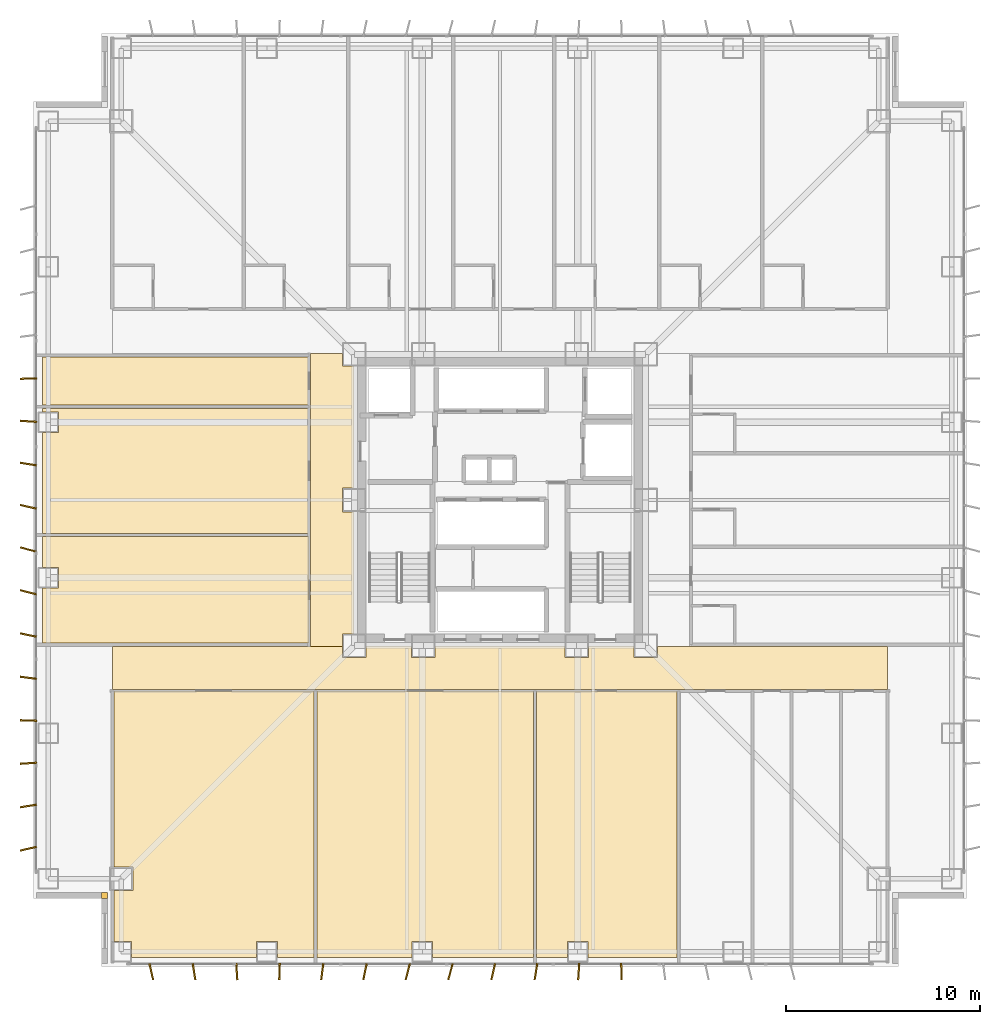
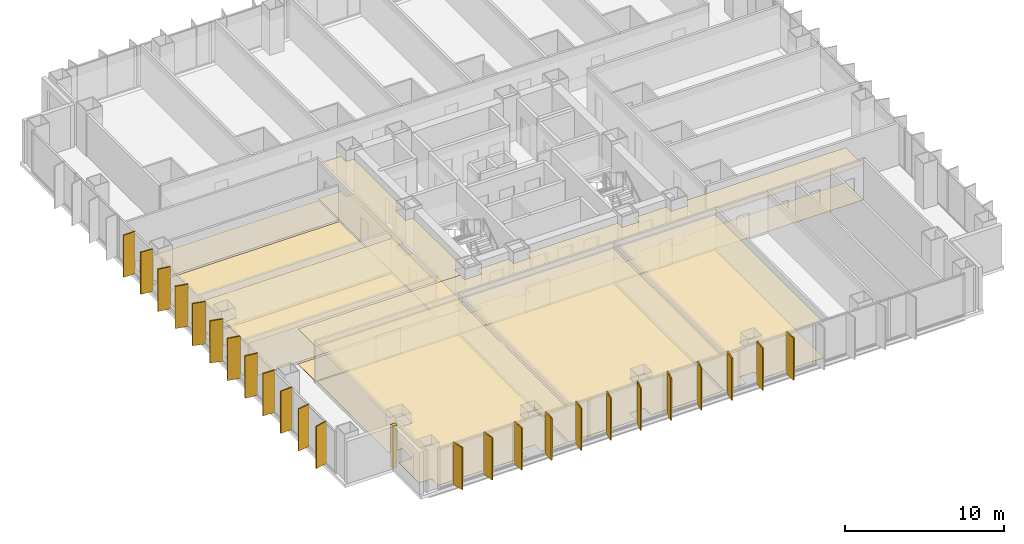
# One storey, part 14 of 17: 24 shading devices, 15 coverings.
"""IFC4 building model written with IfcOpenShell, lengths in metres."""

from ifc_helpers import new_model, si_unit, direction, frame, origin, origin_2d, place, context, subcontext, project, spatial, polyline, rectangle, outline, extrude, material, layer, layer_set, type_object, element, save


model = new_model("IFC4")

# Units and contexts
model_context = context("Model", 3, precision=1e-05, world=origin(), true_north=direction((0.0, 1.0)))
body_context = subcontext(model_context, "Body", "Model", "MODEL_VIEW")
ifc_project = project(units=[si_unit("LENGTHUNIT", "METRE"), si_unit("AREAUNIT", "SQUARE_METRE"), si_unit("VOLUMEUNIT", "CUBIC_METRE"), si_unit("PLANEANGLEUNIT", "RADIAN"), si_unit("MASSUNIT", "GRAM", prefix="KILO")], contexts=[model_context])

# Site, building, storey
site_placement = place(None, origin())
site = spatial("IfcSite", under=ifc_project, at=site_placement, CompositionType="ELEMENT")
building_placement = place(site_placement, origin())
building = spatial("IfcBuilding", under=site, at=building_placement, Name="Trevonay Congress Spire", CompositionType="ELEMENT")
storey_placement = place(building_placement, frame((0.0, 0.0, 69.0)))
storey = spatial("IfcBuildingStorey", under=building, at=storey_placement, Name="L17", CompositionType="ELEMENT", Elevation=69.0)

# Coverings
ifc_material_1 = material(Name="Acoustic Mineral Fibre Board", Category="gypsum")
ifc_layer_1 = layer(ifc_material_1, 0.02490234375, Name="Acoustic Mineral Fibre Board")
ifc_layer_set_1 = layer_set([ifc_layer_1], Name="Acoustic Mineral Fibre Board")
covering_type_1 = type_object("IfcCoveringType", Name="COV-CEIL-ACOUSTIC", PredefinedType="CEILING", material=ifc_layer_set_1)
covering_1_placement = place(storey_placement, frame((0.0, 0.0, 2.699951171875)))
element("IfcCovering", 1, at=covering_1_placement, inside=storey, type_object=covering_type_1, Name="L17 Hotel Floor Corridor South acoustic suspended ceiling", PredefinedType="CEILING", context=body_context, shape_type="SweptSolid", body=[
    extrude(outline(polyline([(19.949951171875, -7.550048828125), (19.949951171875, -9.75), (-19.949951171875, -9.75), (-19.949951171875, -7.550048828125), (-8.110107421875, -7.550048828125), (-8.110107421875, -8.110107421875), (-6.889892578125, -8.110107421875), (-6.889892578125, -7.550048828125), (-4.56005859375, -7.550048828125), (-4.56005859375, -8.110107421875), (-3.340087890625, -8.110107421875), (-3.340087890625, -7.550048828125), (3.340087890625, -7.550048828125), (3.340087890625, -8.110107421875), (4.56005859375, -8.110107421875), (4.56005859375, -7.550048828125), (6.889892578125, -7.550048828125), (6.889892578125, -8.110107421875), (8.110107421875, -8.110107421875), (8.110107421875, -7.550048828125), (19.949951171875, -7.550048828125)])), origin(), (0.0, 0.0, 1.0), 0.025146484375),
])
covering_2_placement = place(storey_placement, frame((0.0, 0.0, 2.699951171875)))
element("IfcCovering", 2, at=covering_2_placement, inside=storey, type_object=covering_type_1, Name="L17 Hotel Floor Corridor West acoustic suspended ceiling", PredefinedType="CEILING", context=body_context, shape_type="SweptSolid", body=[
    extrude(outline(polyline([(-9.75, 7.550048828125), (-8.110107421875, 7.550048828125), (-8.110107421875, 6.889892578125), (-7.550048828125, 6.889892578125), (-7.550048828125, 0.610107421875), (-8.110107421875, 0.610107421875), (-8.110107421875, -0.610107421875), (-7.550048828125, -0.610107421875), (-7.550048828125, -6.889892578125), (-8.110107421875, -6.889892578125), (-8.110107421875, -7.550048828125), (-9.75, -7.550048828125), (-9.75, 7.550048828125)])), origin(), (0.0, 0.0, 1.0), 0.025146484375),
])
covering_3_placement = place(storey_placement, frame((0.0, 0.0, 2.699951171875)))
element("IfcCovering", 3, at=covering_3_placement, inside=storey, type_object=covering_type_1, Name="L17 Sky Banquet Dining Salon West acoustic suspended ceiling", PredefinedType="CEILING", context=body_context, shape_type="SweptSolid", body=[
    extrude(outline(polyline([(-18.965087890625, -23.550048828125), (-18.965087890625, -22.715087890625), (-19.8701171875, -22.715087890625), (-19.8701171875, -20.110107421875), (-18.889892578125, -20.110107421875), (-18.889892578125, -18.889892578125), (-19.8701171875, -18.889892578125), (-19.8701171875, -9.830078125), (-9.580078125, -9.830078125), (-9.580078125, -23.550048828125), (-11.465087890625, -23.550048828125), (-11.465087890625, -22.715087890625), (-12.534912109375, -22.715087890625), (-12.534912109375, -23.550048828125), (-18.965087890625, -23.550048828125)])), origin(), (0.0, 0.0, 1.0), 0.025146484375),
])
covering_4_placement = place(storey_placement, frame((0.0, 0.0, 2.699951171875)))
element("IfcCovering", 4, at=covering_4_placement, inside=storey, type_object=covering_type_1, Name="L17 Sky Banquet Dining Salon East acoustic suspended ceiling", PredefinedType="CEILING", context=body_context, shape_type="SweptSolid", body=[
    extrude(outline(polyline([(-9.419921875, -23.550048828125), (-9.419921875, -9.830078125), (1.719970703125, -9.830078125), (1.719970703125, -23.550048828125), (-3.465087890625, -23.550048828125), (-3.465087890625, -22.715087890625), (-4.534912109375, -22.715087890625), (-4.534912109375, -23.550048828125), (-9.419921875, -23.550048828125)])), origin(), (0.0, 0.0, 1.0), 0.025146484375),
])
covering_5_placement = place(storey_placement, frame((0.0, 0.0, 2.699951171875)))
element("IfcCovering", 5, at=covering_5_placement, inside=storey, type_object=covering_type_1, Name="L17 Banquet Finishing Kitchen acoustic suspended ceiling", PredefinedType="CEILING", context=body_context, shape_type="SweptSolid", body=[
    extrude(outline(polyline([(1.8798828125, -23.550048828125), (1.8798828125, -9.830078125), (9.1201171875, -9.830078125), (9.1201171875, -23.550048828125), (4.534912109375, -23.550048828125), (4.534912109375, -22.715087890625), (3.465087890625, -22.715087890625), (3.465087890625, -23.550048828125), (1.8798828125, -23.550048828125)])), origin(), (0.0, 0.0, 1.0), 0.025146484375),
])
covering_6_placement = place(storey_placement, frame((0.0, 0.0, 2.699951171875)))
element("IfcCovering", 6, at=covering_6_placement, inside=storey, type_object=covering_type_1, Name="L17 Private Dining Boardroom 1 acoustic suspended ceiling", PredefinedType="CEILING", context=body_context, shape_type="SweptSolid", body=[
    extrude(outline(polyline([(-23.550048828125, -1.8798828125), (-9.830078125, -1.8798828125), (-9.830078125, -7.3701171875), (-23.550048828125, -7.3701171875), (-23.550048828125, -4.534912109375), (-22.715087890625, -4.534912109375), (-22.715087890625, -3.465087890625), (-23.550048828125, -3.465087890625), (-23.550048828125, -1.8798828125)])), origin(), (0.0, 0.0, 1.0), 0.025146484375),
])
ifc_material_2 = material(Name="Polished Granite Floor Tile", Category="masonry")
ifc_layer_2 = layer(ifc_material_2, 0.02001953125, Name="Polished Granite Floor Tile")
ifc_layer_set_2 = layer_set([ifc_layer_2], Name="Polished Granite Floor Tile")
covering_type_2 = type_object("IfcCoveringType", Name="COV-FLOOR-STONE", PredefinedType="FLOORING", material=ifc_layer_set_2)
covering_7_placement = place(storey_placement, origin())
element("IfcCovering", 7, at=covering_7_placement, inside=storey, type_object=covering_type_2, Name="L17 Hotel Floor Corridor South floor finish", PredefinedType="FLOORING", context=body_context, shape_type="SweptSolid", body=[
    extrude(outline(polyline([(19.949951171875, -7.550048828125), (19.949951171875, -9.75), (-19.949951171875, -9.75), (-19.949951171875, -7.550048828125), (-8.110107421875, -7.550048828125), (-8.110107421875, -8.110107421875), (-6.889892578125, -8.110107421875), (-6.889892578125, -7.550048828125), (-4.56005859375, -7.550048828125), (-4.56005859375, -8.110107421875), (-3.340087890625, -8.110107421875), (-3.340087890625, -7.550048828125), (3.340087890625, -7.550048828125), (3.340087890625, -8.110107421875), (4.56005859375, -8.110107421875), (4.56005859375, -7.550048828125), (6.889892578125, -7.550048828125), (6.889892578125, -8.110107421875), (8.110107421875, -8.110107421875), (8.110107421875, -7.550048828125), (19.949951171875, -7.550048828125)])), origin(), (0.0, 0.0, 1.0), 0.02001953125),
])
covering_8_placement = place(storey_placement, origin())
element("IfcCovering", 8, at=covering_8_placement, inside=storey, type_object=covering_type_2, Name="L17 Hotel Floor Corridor West floor finish", PredefinedType="FLOORING", context=body_context, shape_type="SweptSolid", body=[
    extrude(outline(polyline([(-9.75, 7.550048828125), (-8.110107421875, 7.550048828125), (-8.110107421875, 6.889892578125), (-7.550048828125, 6.889892578125), (-7.550048828125, 0.610107421875), (-8.110107421875, 0.610107421875), (-8.110107421875, -0.610107421875), (-7.550048828125, -0.610107421875), (-7.550048828125, -6.889892578125), (-8.110107421875, -6.889892578125), (-8.110107421875, -7.550048828125), (-9.75, -7.550048828125), (-9.75, 7.550048828125)])), origin(), (0.0, 0.0, 1.0), 0.02001953125),
])
covering_9_placement = place(storey_placement, origin())
element("IfcCovering", 9, at=covering_9_placement, inside=storey, type_object=covering_type_2, Name="L17 Sky Banquet Dining Salon West floor finish", PredefinedType="FLOORING", context=body_context, shape_type="SweptSolid", body=[
    extrude(outline(polyline([(-18.965087890625, -23.550048828125), (-18.965087890625, -22.715087890625), (-19.8701171875, -22.715087890625), (-19.8701171875, -20.110107421875), (-18.889892578125, -20.110107421875), (-18.889892578125, -18.889892578125), (-19.8701171875, -18.889892578125), (-19.8701171875, -9.830078125), (-9.580078125, -9.830078125), (-9.580078125, -23.550048828125), (-11.465087890625, -23.550048828125), (-11.465087890625, -22.715087890625), (-12.534912109375, -22.715087890625), (-12.534912109375, -23.550048828125), (-18.965087890625, -23.550048828125)])), origin(), (0.0, 0.0, 1.0), 0.02001953125),
])
covering_10_placement = place(storey_placement, origin())
element("IfcCovering", 10, at=covering_10_placement, inside=storey, type_object=covering_type_2, Name="L17 Sky Banquet Dining Salon East floor finish", PredefinedType="FLOORING", context=body_context, shape_type="SweptSolid", body=[
    extrude(outline(polyline([(-9.419921875, -23.550048828125), (-9.419921875, -9.830078125), (1.719970703125, -9.830078125), (1.719970703125, -23.550048828125), (-3.465087890625, -23.550048828125), (-3.465087890625, -22.715087890625), (-4.534912109375, -22.715087890625), (-4.534912109375, -23.550048828125), (-9.419921875, -23.550048828125)])), origin(), (0.0, 0.0, 1.0), 0.02001953125),
])
covering_11_placement = place(storey_placement, origin())
element("IfcCovering", 11, at=covering_11_placement, inside=storey, type_object=covering_type_2, Name="L17 Banquet Finishing Kitchen floor finish", PredefinedType="FLOORING", context=body_context, shape_type="SweptSolid", body=[
    extrude(outline(polyline([(1.8798828125, -23.550048828125), (1.8798828125, -9.830078125), (9.1201171875, -9.830078125), (9.1201171875, -23.550048828125), (4.534912109375, -23.550048828125), (4.534912109375, -22.715087890625), (3.465087890625, -22.715087890625), (3.465087890625, -23.550048828125), (1.8798828125, -23.550048828125)])), origin(), (0.0, 0.0, 1.0), 0.02001953125),
])
covering_12_placement = place(storey_placement, origin())
element("IfcCovering", 12, at=covering_12_placement, inside=storey, type_object=covering_type_2, Name="L17 Housekeeping and Linen Room floor finish", PredefinedType="FLOORING", context=body_context, shape_type="SweptSolid", body=[
    extrude(outline(polyline([(-23.550048828125, 4.719970703125), (-9.830078125, 4.719970703125), (-9.830078125, -1.719970703125), (-23.550048828125, -1.719970703125), (-23.550048828125, 3.465087890625), (-22.715087890625, 3.465087890625), (-22.715087890625, 4.534912109375), (-23.550048828125, 4.534912109375), (-23.550048828125, 4.719970703125)])), origin(), (0.0, 0.0, 1.0), 0.02001953125),
])
covering_13_placement = place(storey_placement, origin())
element("IfcCovering", 13, at=covering_13_placement, inside=storey, type_object=covering_type_2, Name="L17 Male Restroom WC floor finish", PredefinedType="FLOORING", context=body_context, shape_type="SweptSolid", body=[
    extrude(outline(polyline([(-23.550048828125, 4.8798828125), (-9.830078125, 4.8798828125), (-9.830078125, 7.3701171875), (-23.550048828125, 7.3701171875), (-23.550048828125, 4.8798828125)])), origin(), (0.0, 0.0, 1.0), 0.02001953125),
])
ifc_material_3 = material(Name="Engineered Oak Flooring", Category="wood")
ifc_layer_3 = layer(ifc_material_3, 0.01806640625, Name="Engineered Oak Flooring")
ifc_layer_set_3 = layer_set([ifc_layer_3], Name="Engineered Oak Flooring")
covering_type_3 = type_object("IfcCoveringType", Name="COV-FLOOR-TIMBER", PredefinedType="FLOORING", material=ifc_layer_set_3)
covering_14_placement = place(storey_placement, origin())
element("IfcCovering", 14, at=covering_14_placement, inside=storey, type_object=covering_type_3, Name="L17 Private Dining Boardroom 1 floor finish", PredefinedType="FLOORING", context=body_context, shape_type="SweptSolid", body=[
    extrude(outline(polyline([(-23.550048828125, -1.8798828125), (-9.830078125, -1.8798828125), (-9.830078125, -7.3701171875), (-23.550048828125, -7.3701171875), (-23.550048828125, -4.534912109375), (-22.715087890625, -4.534912109375), (-22.715087890625, -3.465087890625), (-23.550048828125, -3.465087890625), (-23.550048828125, -1.8798828125)])), origin(), (0.0, 0.0, 1.0), 0.01806640625),
])
ifc_material_4 = material(Name="Pale Anodised Aluminium EN AW-6063-T6", Category="aluminium")
ifc_layer_4 = layer(ifc_material_4, 0.0400390625, Name="Pale Anodised Aluminium EN AW-6063-T6")
ifc_layer_set_4 = layer_set([ifc_layer_4], Name="Pale Anodised Aluminium EN AW-6063-T6")
covering_type_4 = type_object("IfcCoveringType", Name="COV-SPANDREL-PALE-METAL", PredefinedType="CLADDING", material=ifc_layer_set_4)
covering_15_placement = place(storey_placement, origin())
element("IfcCovering", 15, at=covering_15_placement, inside=storey, type_object=covering_type_4, Name="L17 SW re-entrant notch corner closure trim", PredefinedType="CLADDING", context=body_context, shape_type="SweptSolid", body=[
    extrude(outline(polyline([(-20.5, -20.5), (-20.199951171875, -20.5), (-20.199951171875, -20.199951171875), (-20.5, -20.199951171875), (-20.5, -20.5)])), origin(), (0.0, 0.0, 1.0), 3.25),
])

# Shading devices
shading_device_type = type_object("IfcShadingDeviceType", Name="SHD-FIN-Z1-PALE-METAL", PredefinedType="USERDEFINED", material=ifc_material_4)
for number, where, z_axis, x_axis, name in (
    (16, (-17.949951171875, -24.280029296875, 0.0), (0.0, 0.0, 1.0), (0.97440931131, 0.224780991261, 0.0), "L17 S vertical pale-metal solar fin 1"),
    (17, (-15.75, -24.280029296875, 0.0), (0.0, 0.0, 1.0), (0.987330860032, 0.158675054211, 0.0), "L17 S vertical pale-metal solar fin 2"),
    (18, (-13.550048828125, -24.280029296875, 0.0), (0.0, 0.0, 1.0), (0.997707959868, 0.067667029017, 0.0), "L17 S vertical pale-metal solar fin 3"),
    (19, (-11.35009765625, -24.280029296875, 0.0), (0.0, 0.0, 1.0), (0.999414947917, -0.034201781837, 0.0), "L17 S vertical pale-metal solar fin 4"),
    (20, (-9.14990234375, -24.280029296875, 0.0), (0.0, 0.0, 1.0), (0.991444861374, -0.13052619222, 0.0), "L17 S vertical pale-metal solar fin 5"),
    (21, (-6.949951171875, -24.280029296875, 0.0), (0.0, 0.0, 1.0), (0.978508985102, -0.206204185397, 0.0), "L17 S vertical pale-metal solar fin 6"),
    (22, (-4.75, -24.280029296875, 0.0), (0.0, 0.0, 1.0), (0.968191325187, -0.250211026602, 0.0), "L17 S vertical pale-metal solar fin 7"),
    (23, (-2.550048828125, -24.280029296875, 0.0), (0.0, 0.0, 1.0), (0.966510581262, -0.256626764599, 0.0), "L17 S vertical pale-metal solar fin 8"),
    (24, (-0.35009765625, -24.280029296875, 0.0), (0.0, 0.0, 1.0), (0.97440931131, -0.224780991261, 0.0), "L17 S vertical pale-metal solar fin 9"),
    (25, (1.85009765625, -24.280029296875, 0.0), (0.0, 0.0, 1.0), (0.987330860032, -0.158675054211, 0.0), "L17 S vertical pale-metal solar fin 10"),
    (26, (4.050048828125, -24.280029296875, 0.0), (0.0, 0.0, 1.0), (0.997707959868, -0.067667029017, 0.0), "L17 S vertical pale-metal solar fin 11"),
    (27, (6.25, -24.280029296875, 0.0), (0.0, 0.0, 1.0), (0.999414947917, 0.034201781837, 0.0), "L17 S vertical pale-metal solar fin 12"),
    (28, (-24.280029296875, -17.949951171875, 0.0), (0.0, 0.0, 1.0), (-0.224780991261, 0.97440931131, 0.0), "L17 W vertical pale-metal solar fin 1"),
    (29, (-24.280029296875, -15.75, 0.0), (0.0, 0.0, 1.0), (-0.158675054211, 0.987330860032, 0.0), "L17 W vertical pale-metal solar fin 2"),
    (30, (-24.280029296875, -13.550048828125, 0.0), (0.0, 0.0, 1.0), (-0.067667029017, 0.997707959868, 0.0), "L17 W vertical pale-metal solar fin 3"),
    (31, (-24.280029296875, -11.35009765625, 0.0), (0.0, 0.0, 1.0), (0.034201781837, 0.999414947917, 0.0), "L17 W vertical pale-metal solar fin 4"),
    (32, (-24.280029296875, -9.14990234375, 0.0), (0.0, 0.0, 1.0), (0.13052619222, 0.991444861374, 0.0), "L17 W vertical pale-metal solar fin 5"),
    (33, (-24.280029296875, -6.949951171875, 0.0), (0.0, 0.0, 1.0), (0.206204185397, 0.978508985102, 0.0), "L17 W vertical pale-metal solar fin 6"),
    (34, (-24.280029296875, -4.75, 0.0), (0.0, 0.0, 1.0), (0.250211026602, 0.968191325187, 0.0), "L17 W vertical pale-metal solar fin 7"),
    (35, (-24.280029296875, -2.550048828125, 0.0), (0.0, 0.0, 1.0), (0.256626764599, 0.966510581262, 0.0), "L17 W vertical pale-metal solar fin 8"),
    (36, (-24.280029296875, -0.35009765625, 0.0), (0.0, 0.0, 1.0), (0.224780991261, 0.97440931131, 0.0), "L17 W vertical pale-metal solar fin 9"),
    (37, (-24.280029296875, 1.85009765625, 0.0), (0.0, 0.0, 1.0), (0.158675054211, 0.987330860032, 0.0), "L17 W vertical pale-metal solar fin 10"),
    (38, (-24.280029296875, 4.050048828125, 0.0), (0.0, 0.0, 1.0), (0.067667029017, 0.997707959868, 0.0), "L17 W vertical pale-metal solar fin 11"),
    (39, (-24.280029296875, 6.25, 0.0), (0.0, 0.0, 1.0), (-0.034201781837, 0.999414947917, 0.0), "L17 W vertical pale-metal solar fin 12"),
):
    element("IfcShadingDevice", number, at=place(storey_placement, frame(where, z_axis=z_axis, x_axis=x_axis)), inside=storey, type_object=shading_device_type, Name=name, ObjectType="SOLAR FIN", PredefinedType="USERDEFINED", context=body_context, shape_type="SweptSolid", body=[
        extrude(rectangle(XDim=0.080078125, YDim=0.85009765625, at=origin_2d()), origin(), (0.0, 0.0, 1.0), 3.25),
    ])

save(model, "model.ifc")
